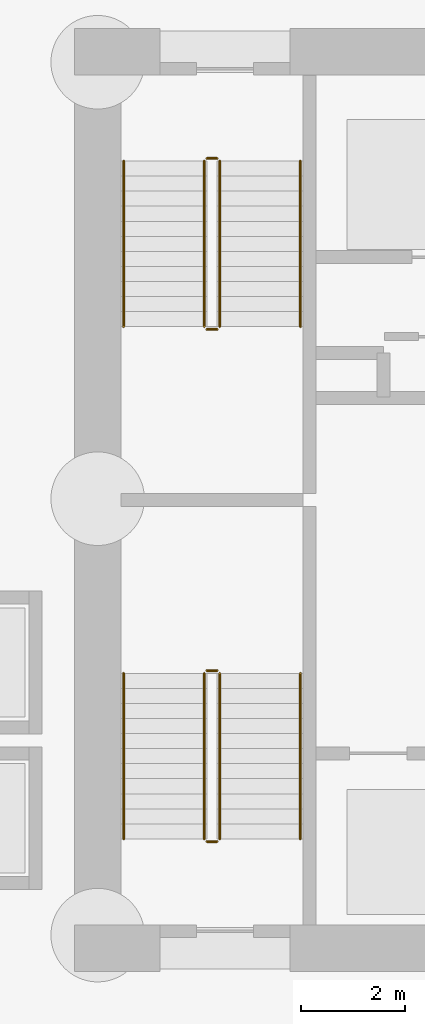
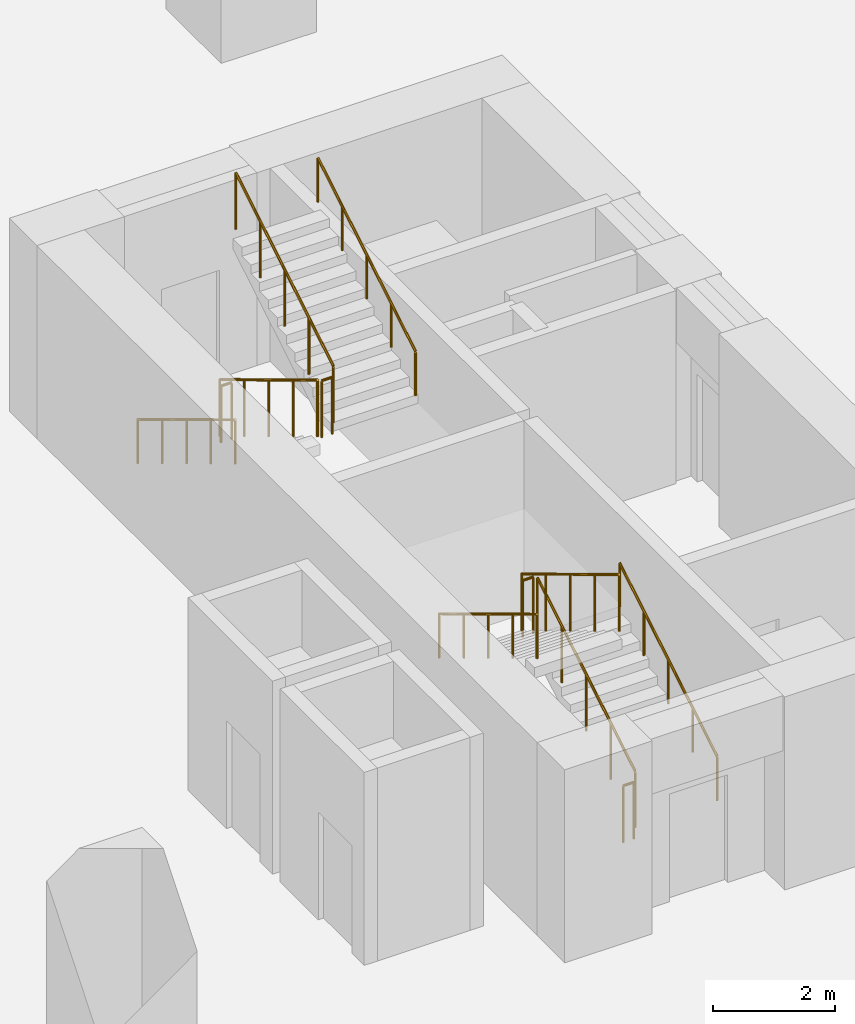
# One storey, part 11 of 12: 12 railings.
"""IFC4 building model written with IfcOpenShell, lengths in metres."""

from ifc_helpers import new_model, si_unit, direction, frame, origin, origin_2d, place, context, subcontext, project, spatial, circle, extrude, material, type_object, element, save


model = new_model("IFC4")

# Units and contexts
model_context = context("Model", 3, precision=1e-05, world=origin(), true_north=direction((0.0, 1.0)))
body_context = subcontext(model_context, "Body", "Model", "MODEL_VIEW")
ifc_project = project(units=[si_unit("LENGTHUNIT", "METRE"), si_unit("AREAUNIT", "SQUARE_METRE"), si_unit("VOLUMEUNIT", "CUBIC_METRE"), si_unit("PLANEANGLEUNIT", "RADIAN"), si_unit("MASSUNIT", "GRAM", prefix="KILO")], contexts=[model_context])

# Site, building, storey
site_placement = place(None, origin())
site = spatial("IfcSite", under=ifc_project, at=site_placement, CompositionType="ELEMENT")
building_placement = place(site_placement, origin())
building = spatial("IfcBuilding", under=site, at=building_placement, Name="Koriwani Terraces Tower", CompositionType="ELEMENT")
storey_placement = place(building_placement, frame((0.0, 0.0, -8.39990234375)))
storey = spatial("IfcBuildingStorey", under=building, at=storey_placement, Name="B02", CompositionType="ELEMENT", Elevation=-8.39990234375)

# Railings
ifc_material = material(Name="Steel ASTM A572 Grade 50", Category="steel")
railing_type_1 = type_object("IfcRailingType", Name="GUARD_STAIR_WELL_1120", PredefinedType="GUARDRAIL", material=ifc_material)
railing_1_placement = place(storey_placement, frame((19.14990234375, 43.85009765625, 0.1748046875)))
element("IfcRailing", 1, at=railing_1_placement, inside=storey, type_object=railing_type_1, Name="B02 ST-W1 stair guard 1", PredefinedType="GUARDRAIL", context=body_context, shape_type="SweptSolid", body=[
    extrude(circle(Radius=0.02392578125, at=origin_2d()), frame((0.0, 0.0, 1.1259765625), z_axis=(0.0, 0.856177665481, 0.516681531633), x_axis=(-1.0, 0.0, 0.0)), (0.0, 0.0, 1.0), 3.725830078125),
    extrude(circle(Radius=0.02099609375, at=origin_2d()), origin(), (0.0, 0.0, 1.0), 1.101806640625),
    extrude(circle(Radius=0.02099609375, at=origin_2d()), frame((0.0, 0.79736328125, 0.481201171875)), (0.0, 0.0, 1.0), 1.101806640625),
    extrude(circle(Radius=0.02099609375, at=origin_2d()), frame((0.0, 1.594970703125, 0.96240234375)), (0.0, 0.0, 1.0), 1.101806640625),
    extrude(circle(Radius=0.02099609375, at=origin_2d()), frame((0.0, 2.392578125, 1.44384765625)), (0.0, 0.0, 1.0), 1.101806640625),
    extrude(circle(Radius=0.02099609375, at=origin_2d()), frame((0.0, 3.18994140625, 1.925048828125)), (0.0, 0.0, 1.0), 1.101806640625),
])
railing_2_placement = place(storey_placement, frame((19.10009765625, 47.090087890625, 2.099853515625)))
element("IfcRailing", 2, at=railing_2_placement, inside=storey, type_object=railing_type_1, Name="B02 ST-W1 stair guard 2", PredefinedType="GUARDRAIL", context=body_context, shape_type="SweptSolid", body=[
    extrude(circle(Radius=0.02392578125, at=origin_2d()), frame((0.0, 0.0, 1.1259765625), z_axis=(-1.0, 0.0, 0.0), x_axis=(0.0, -1.0, 0.0)), (0.0, 0.0, 1.0), 0.2001953125),
    extrude(circle(Radius=0.02099609375, at=origin_2d()), origin(), (0.0, 0.0, 1.0), 1.101806640625),
    extrude(circle(Radius=0.02099609375, at=origin_2d()), frame((-0.2001953125, 0.0, 0.0)), (0.0, 0.0, 1.0), 1.101806640625),
])
railing_3_placement = place(storey_placement, frame((18.85009765625, 47.0400390625, 2.27490234375)))
element("IfcRailing", 3, at=railing_3_placement, inside=storey, type_object=railing_type_1, Name="B02 ST-W1 stair guard 3", PredefinedType="GUARDRAIL", context=body_context, shape_type="SweptSolid", body=[
    extrude(circle(Radius=0.02392578125, at=origin_2d()), frame((0.0, 0.0, 1.1259765625), z_axis=(0.0, -0.856177665481, 0.516681531633), x_axis=(1.0, 0.0, 0.0)), (0.0, 0.0, 1.0), 3.725830078125),
    extrude(circle(Radius=0.02099609375, at=origin_2d()), origin(), (0.0, 0.0, 1.0), 1.101806640625),
    extrude(circle(Radius=0.02099609375, at=origin_2d()), frame((0.0, -0.79736328125, 0.481201171875)), (0.0, 0.0, 1.0), 1.101806640625),
    extrude(circle(Radius=0.02099609375, at=origin_2d()), frame((0.0, -1.594970703125, 0.96240234375)), (0.0, 0.0, 1.0), 1.101806640625),
    extrude(circle(Radius=0.02099609375, at=origin_2d()), frame((0.0, -2.392578125, 1.44384765625)), (0.0, 0.0, 1.0), 1.101806640625),
    extrude(circle(Radius=0.02099609375, at=origin_2d()), frame((0.0, -3.18994140625, 1.925048828125)), (0.0, 0.0, 1.0), 1.101806640625),
])
railing_4_placement = place(storey_placement, frame((19.10009765625, 43.800048828125, 0.0)))
element("IfcRailing", 4, at=railing_4_placement, inside=storey, type_object=railing_type_1, Name="B02 ST-W1 stair guard 4", PredefinedType="GUARDRAIL", context=body_context, shape_type="SweptSolid", body=[
    extrude(circle(Radius=0.02392578125, at=origin_2d()), frame((0.0, 0.0, 1.1259765625), z_axis=(-1.0, 0.0, 0.0), x_axis=(0.0, -1.0, 0.0)), (0.0, 0.0, 1.0), 0.2001953125),
    extrude(circle(Radius=0.02099609375, at=origin_2d()), origin(), (0.0, 0.0, 1.0), 1.101806640625),
    extrude(circle(Radius=0.02099609375, at=origin_2d()), frame((-0.2001953125, 0.0, 0.0)), (0.0, 0.0, 1.0), 1.101806640625),
])
railing_5_placement = place(storey_placement, frame((18.85009765625, 56.89990234375, 0.1748046875)))
element("IfcRailing", 5, at=railing_5_placement, inside=storey, type_object=railing_type_1, Name="B02 ST-W2 stair guard 1", PredefinedType="GUARDRAIL", context=body_context, shape_type="SweptSolid", body=[
    extrude(circle(Radius=0.02392578125, at=origin_2d()), frame((0.0, 0.0, 1.1259765625), z_axis=(0.0, -0.856177665481, 0.516681531633), x_axis=(1.0, 0.0, 0.0)), (0.0, 0.0, 1.0), 3.725830078125),
    extrude(circle(Radius=0.02099609375, at=origin_2d()), origin(), (0.0, 0.0, 1.0), 1.101806640625),
    extrude(circle(Radius=0.02099609375, at=origin_2d()), frame((0.0, -0.79736328125, 0.481201171875)), (0.0, 0.0, 1.0), 1.101806640625),
    extrude(circle(Radius=0.02099609375, at=origin_2d()), frame((0.0, -1.594970703125, 0.96240234375)), (0.0, 0.0, 1.0), 1.101806640625),
    extrude(circle(Radius=0.02099609375, at=origin_2d()), frame((0.0, -2.392578125, 1.44384765625)), (0.0, 0.0, 1.0), 1.101806640625),
    extrude(circle(Radius=0.02099609375, at=origin_2d()), frame((0.0, -3.18994140625, 1.925048828125)), (0.0, 0.0, 1.0), 1.101806640625),
])
railing_6_placement = place(storey_placement, frame((18.89990234375, 53.659912109375, 2.099853515625)))
element("IfcRailing", 6, at=railing_6_placement, inside=storey, type_object=railing_type_1, Name="B02 ST-W2 stair guard 2", PredefinedType="GUARDRAIL", context=body_context, shape_type="SweptSolid", body=[
    extrude(circle(Radius=0.02392578125, at=origin_2d()), frame((0.0, 0.0, 1.1259765625), z_axis=(1.0, 0.0, 0.0), x_axis=(0.0, 1.0, 0.0)), (0.0, 0.0, 1.0), 0.2001953125),
    extrude(circle(Radius=0.02099609375, at=origin_2d()), origin(), (0.0, 0.0, 1.0), 1.101806640625),
    extrude(circle(Radius=0.02099609375, at=origin_2d()), frame((0.2001953125, 0.0, 0.0)), (0.0, 0.0, 1.0), 1.101806640625),
])
railing_7_placement = place(storey_placement, frame((19.14990234375, 53.7099609375, 2.27490234375)))
element("IfcRailing", 7, at=railing_7_placement, inside=storey, type_object=railing_type_1, Name="B02 ST-W2 stair guard 3", PredefinedType="GUARDRAIL", context=body_context, shape_type="SweptSolid", body=[
    extrude(circle(Radius=0.02392578125, at=origin_2d()), frame((0.0, 0.0, 1.1259765625), z_axis=(0.0, 0.856177665481, 0.516681531633), x_axis=(-1.0, 0.0, 0.0)), (0.0, 0.0, 1.0), 3.725830078125),
    extrude(circle(Radius=0.02099609375, at=origin_2d()), origin(), (0.0, 0.0, 1.0), 1.101806640625),
    extrude(circle(Radius=0.02099609375, at=origin_2d()), frame((0.0, 0.79736328125, 0.481201171875)), (0.0, 0.0, 1.0), 1.101806640625),
    extrude(circle(Radius=0.02099609375, at=origin_2d()), frame((0.0, 1.594970703125, 0.96240234375)), (0.0, 0.0, 1.0), 1.101806640625),
    extrude(circle(Radius=0.02099609375, at=origin_2d()), frame((0.0, 2.392578125, 1.44384765625)), (0.0, 0.0, 1.0), 1.101806640625),
    extrude(circle(Radius=0.02099609375, at=origin_2d()), frame((0.0, 3.18994140625, 1.925048828125)), (0.0, 0.0, 1.0), 1.101806640625),
])
railing_8_placement = place(storey_placement, frame((18.89990234375, 56.949951171875, 0.0)))
element("IfcRailing", 8, at=railing_8_placement, inside=storey, type_object=railing_type_1, Name="B02 ST-W2 stair guard 4", PredefinedType="GUARDRAIL", context=body_context, shape_type="SweptSolid", body=[
    extrude(circle(Radius=0.02392578125, at=origin_2d()), frame((0.0, 0.0, 1.1259765625), z_axis=(1.0, 0.0, 0.0), x_axis=(0.0, 1.0, 0.0)), (0.0, 0.0, 1.0), 0.2001953125),
    extrude(circle(Radius=0.02099609375, at=origin_2d()), origin(), (0.0, 0.0, 1.0), 1.101806640625),
    extrude(circle(Radius=0.02099609375, at=origin_2d()), frame((0.2001953125, 0.0, 0.0)), (0.0, 0.0, 1.0), 1.101806640625),
])
railing_type_2 = type_object("IfcRailingType", Name="HANDRAIL_STAIR_920", PredefinedType="HANDRAIL", material=ifc_material)
railing_9_placement = place(storey_placement, frame((20.699951171875, 43.85009765625, 0.1748046875)))
element("IfcRailing", 9, at=railing_9_placement, inside=storey, type_object=railing_type_2, Name="B02 ST-W1 stair handrail 1", PredefinedType="HANDRAIL", context=body_context, shape_type="SweptSolid", body=[
    extrude(circle(Radius=0.02392578125, at=origin_2d()), frame((0.0, 0.0, 0.8759765625), z_axis=(0.0, 0.856177665481, 0.516681531633), x_axis=(-1.0, 0.0, 0.0)), (0.0, 0.0, 1.0), 3.725830078125),
    extrude(circle(Radius=0.02099609375, at=origin_2d()), origin(), (0.0, 0.0, 1.0), 0.851806640625),
    extrude(circle(Radius=0.02099609375, at=origin_2d()), frame((0.0, 0.79736328125, 0.481201171875)), (0.0, 0.0, 1.0), 0.851806640625),
    extrude(circle(Radius=0.02099609375, at=origin_2d()), frame((0.0, 1.594970703125, 0.96240234375)), (0.0, 0.0, 1.0), 0.851806640625),
    extrude(circle(Radius=0.02099609375, at=origin_2d()), frame((0.0, 2.392578125, 1.44384765625)), (0.0, 0.0, 1.0), 0.851806640625),
    extrude(circle(Radius=0.02099609375, at=origin_2d()), frame((0.0, 3.18994140625, 1.925048828125)), (0.0, 0.0, 1.0), 0.851806640625),
])
for number, where, name in (
    (10, (17.300048828125, 47.0400390625, 2.27490234375), "B02 ST-W1 stair handrail 2"),
    (11, (17.300048828125, 56.89990234375, 0.1748046875), "B02 ST-W2 stair handrail 1"),
):
    element("IfcRailing", number, at=place(storey_placement, frame(where)), inside=storey, type_object=railing_type_2, Name=name, PredefinedType="HANDRAIL", context=body_context, shape_type="SweptSolid", body=[
        extrude(circle(Radius=0.02392578125, at=origin_2d()), frame((0.0, 0.0, 0.8759765625), z_axis=(0.0, -0.856177665481, 0.516681531633), x_axis=(1.0, 0.0, 0.0)), (0.0, 0.0, 1.0), 3.725830078125),
        extrude(circle(Radius=0.02099609375, at=origin_2d()), origin(), (0.0, 0.0, 1.0), 0.851806640625),
        extrude(circle(Radius=0.02099609375, at=origin_2d()), frame((0.0, -0.79736328125, 0.481201171875)), (0.0, 0.0, 1.0), 0.851806640625),
        extrude(circle(Radius=0.02099609375, at=origin_2d()), frame((0.0, -1.594970703125, 0.96240234375)), (0.0, 0.0, 1.0), 0.851806640625),
        extrude(circle(Radius=0.02099609375, at=origin_2d()), frame((0.0, -2.392578125, 1.44384765625)), (0.0, 0.0, 1.0), 0.851806640625),
        extrude(circle(Radius=0.02099609375, at=origin_2d()), frame((0.0, -3.18994140625, 1.925048828125)), (0.0, 0.0, 1.0), 0.851806640625),
    ])
railing_10_placement = place(storey_placement, frame((20.699951171875, 53.7099609375, 2.27490234375)))
element("IfcRailing", 12, at=railing_10_placement, inside=storey, type_object=railing_type_2, Name="B02 ST-W2 stair handrail 2", PredefinedType="HANDRAIL", context=body_context, shape_type="SweptSolid", body=[
    extrude(circle(Radius=0.02392578125, at=origin_2d()), frame((0.0, 0.0, 0.8759765625), z_axis=(0.0, 0.856177665481, 0.516681531633), x_axis=(-1.0, 0.0, 0.0)), (0.0, 0.0, 1.0), 3.725830078125),
    extrude(circle(Radius=0.02099609375, at=origin_2d()), origin(), (0.0, 0.0, 1.0), 0.851806640625),
    extrude(circle(Radius=0.02099609375, at=origin_2d()), frame((0.0, 0.79736328125, 0.481201171875)), (0.0, 0.0, 1.0), 0.851806640625),
    extrude(circle(Radius=0.02099609375, at=origin_2d()), frame((0.0, 1.594970703125, 0.96240234375)), (0.0, 0.0, 1.0), 0.851806640625),
    extrude(circle(Radius=0.02099609375, at=origin_2d()), frame((0.0, 2.392578125, 1.44384765625)), (0.0, 0.0, 1.0), 0.851806640625),
    extrude(circle(Radius=0.02099609375, at=origin_2d()), frame((0.0, 3.18994140625, 1.925048828125)), (0.0, 0.0, 1.0), 0.851806640625),
])

save(model, "model.ifc")
